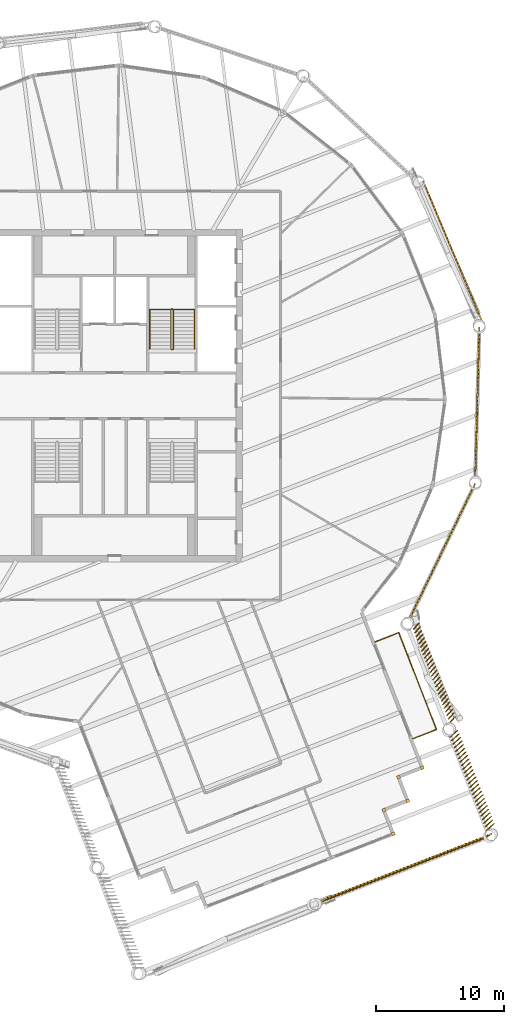
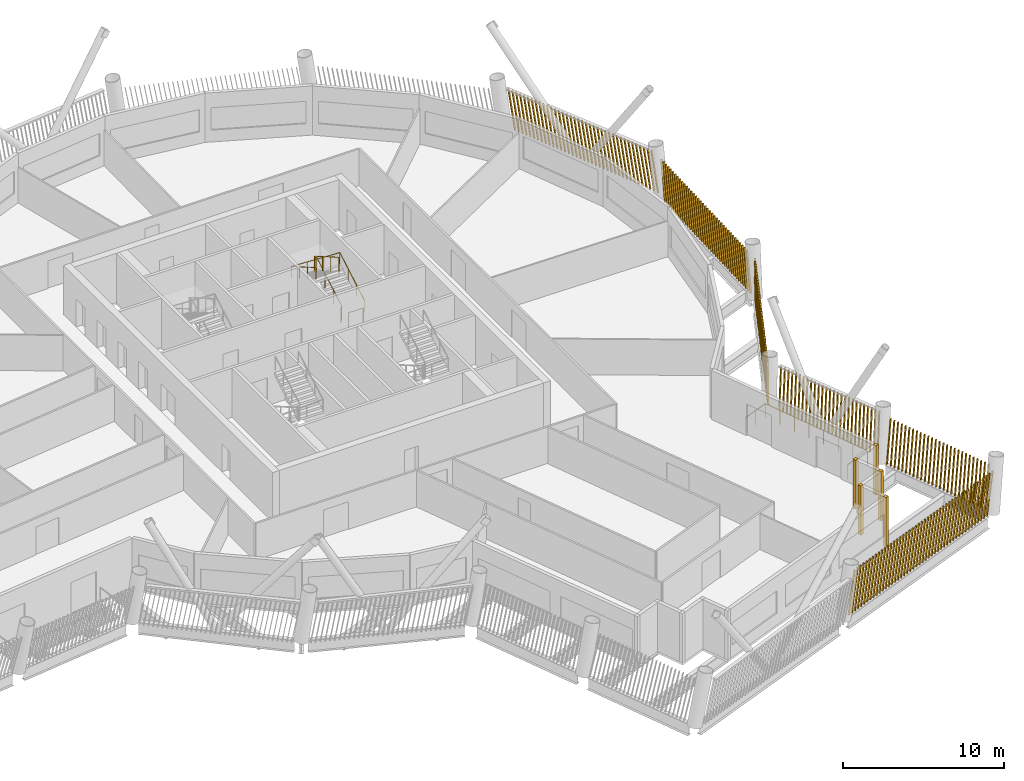
# One storey, part 18 of 20: 11 shading devices, 3 railings.
"""IFC4 building model written with IfcOpenShell, lengths in metres."""

from ifc_helpers import new_model, si_unit, direction, frame, frame_2d, origin, origin_2d, place, context, subcontext, project, spatial, rectangle, circle, composite_profile, extrude, material, type_object, element, save


model = new_model("IFC4")

# Units and contexts
model_context = context("Model", 3, precision=1e-05, world=origin(), true_north=direction((0.0, 1.0)))
body_context = subcontext(model_context, "Body", "Model", "MODEL_VIEW")
ifc_project = project(units=[si_unit("LENGTHUNIT", "METRE"), si_unit("AREAUNIT", "SQUARE_METRE"), si_unit("VOLUMEUNIT", "CUBIC_METRE"), si_unit("PLANEANGLEUNIT", "RADIAN"), si_unit("MASSUNIT", "GRAM", prefix="KILO")], contexts=[model_context])

# Site, building, storey
site_placement = place(None, origin())
site = spatial("IfcSite", under=ifc_project, at=site_placement, CompositionType="ELEMENT")
building_placement = place(site_placement, origin())
building = spatial("IfcBuilding", under=site, at=building_placement, Name="Tarsis Ring Headquarters", CompositionType="ELEMENT")
storey_placement = place(building_placement, frame((0.0, 0.0, 315.800048828125)))
storey = spatial("IfcBuildingStorey", under=building, at=storey_placement, Name="L74", CompositionType="ELEMENT", Elevation=315.800048828125)

# Railings
ifc_material_1 = material(Name="Stainless steel guard", Category="steel")
railing_type_1 = type_object("IfcRailingType", Name="Balcony balustrade with mesh infill 1100", PredefinedType="BALUSTRADE", material=ifc_material_1)
railing_1_placement = place(storey_placement, frame((23.33984375, -26.86083984375, 0.0)))
element("IfcRailing", 1, at=railing_1_placement, inside=storey, type_object=railing_type_1, Name="Balcony balustrade L74-16", PredefinedType="BALUSTRADE", context=body_context, shape_type="SweptSolid", body=[
    extrude(circle(Radius=0.030029296875, at=origin_2d()), frame((0.0, 0.0, 1.070068359375), z_axis=(0.931814391035, 0.362935174184, 0.0), x_axis=(-0.362935174184, 0.931814391035, 0.0)), (0.0, 0.0, 1.0), 2.0),
    extrude(circle(Radius=0.030029296875, at=origin_2d()), frame((1.863525390625, 0.725830078125, 1.070068359375), z_axis=(-0.362911614815, 0.931823566901, 0.0), x_axis=(-0.931823566901, -0.362911614815, 0.0)), (0.0, 0.0, 1.0), 8.1513671875),
    extrude(circle(Radius=0.030029296875, at=origin_2d()), frame((-1.0947265625, 8.321533203125, 1.070068359375), z_axis=(-0.931773101804, -0.363041163994, 0.0), x_axis=(0.363041163994, -0.931773101804, 0.0)), (0.0, 0.0, 1.0), 2.0),
    extrude(circle(Radius=0.02490234375, at=origin_2d()), origin(), (0.0, 0.0, 1.0), 1.0400390625),
    extrude(circle(Radius=0.02490234375, at=origin_2d()), frame((0.931640625, 0.36279296875, 0.0)), (0.0, 0.0, 1.0), 1.0400390625),
    extrude(circle(Radius=0.02490234375, at=origin_2d()), frame((1.863525390625, 0.725830078125, 0.0)), (0.0, 0.0, 1.0), 1.0400390625),
    extrude(circle(Radius=0.02490234375, at=origin_2d()), frame((1.44091796875, 1.81103515625, 0.0)), (0.0, 0.0, 1.0), 1.0400390625),
    extrude(circle(Radius=0.02490234375, at=origin_2d()), frame((1.018310546875, 2.89599609375, 0.0)), (0.0, 0.0, 1.0), 1.0400390625),
    extrude(circle(Radius=0.02490234375, at=origin_2d()), frame((0.595703125, 3.981201171875, 0.0)), (0.0, 0.0, 1.0), 1.0400390625),
    extrude(circle(Radius=0.02490234375, at=origin_2d()), frame((0.173095703125, 5.066162109375, 0.0)), (0.0, 0.0, 1.0), 1.0400390625),
    extrude(circle(Radius=0.02490234375, at=origin_2d()), frame((-0.24951171875, 6.1513671875, 0.0)), (0.0, 0.0, 1.0), 1.0400390625),
    extrude(circle(Radius=0.02490234375, at=origin_2d()), frame((-0.672119140625, 7.236328125, 0.0)), (0.0, 0.0, 1.0), 1.0400390625),
    extrude(circle(Radius=0.02490234375, at=origin_2d()), frame((-1.0947265625, 8.321533203125, 0.0)), (0.0, 0.0, 1.0), 1.0400390625),
    extrude(circle(Radius=0.02490234375, at=origin_2d()), frame((-2.0263671875, 7.95849609375, 0.0)), (0.0, 0.0, 1.0), 1.0400390625),
    extrude(circle(Radius=0.02490234375, at=origin_2d()), frame((-2.958251953125, 7.595458984375, 0.0)), (0.0, 0.0, 1.0), 1.0400390625),
])
ifc_material_2 = material(Name="Steel S355", Category="steel")
railing_type_2 = type_object("IfcRailingType", Name="Core stair guard 1100", PredefinedType="GUARDRAIL", material=ifc_material_2)
railing_2_placement = place(storey_placement, frame((4.4599609375, 3.610107421875, 0.0)))
element("IfcRailing", 2, at=railing_2_placement, inside=storey, type_object=railing_type_2, Name="L74 ST2 stair guard 1", PredefinedType="GUARDRAIL", context=body_context, shape_type="SweptSolid", body=[
    extrude(circle(Radius=0.02392578125, at=origin_2d()), frame((0.0, 0.0, 1.076171875), z_axis=(1.0, 0.0, 0.0), x_axis=(0.0, 1.0, 0.0)), (0.0, 0.0, 1.0), 0.080078125),
    extrude(circle(Radius=0.02392578125, at=origin_2d()), frame((0.080078125, 0.0, 1.076171875), z_axis=(0.282693820306, 0.281314826061, 0.917031173188), x_axis=(-0.705375805398, 0.708833529934, 0.0)), (0.0, 0.0, 1.0), 0.177001953125),
    extrude(circle(Radius=0.02392578125, at=origin_2d()), frame((0.130126953125, 0.0498046875, 1.23828125), z_axis=(0.0, 0.864890721111, 0.501960198159), x_axis=(-1.0, 0.0, 0.0)), (0.0, 0.0, 1.0), 3.561279296875),
    extrude(circle(Radius=0.02392578125, at=origin_2d()), frame((0.130126953125, 3.1298828125, 3.02587890625), z_axis=(-0.707106781187, 0.707106781187, 0.0), x_axis=(-0.707106781187, -0.707106781187, 0.0)), (0.0, 0.0, 1.0), 0.07080078125),
    extrude(circle(Radius=0.02392578125, at=origin_2d()), frame((0.080078125, 3.179931640625, 3.02587890625), z_axis=(-1.0, 0.0, 0.0), x_axis=(0.0, -1.0, 0.0)), (0.0, 0.0, 1.0), 0.080078125),
    extrude(circle(Radius=0.02392578125, at=origin_2d()), frame((0.0, 3.179931640625, 3.02587890625), z_axis=(-0.282227285176, -0.282227285176, 0.916894497205), x_axis=(0.707106781187, -0.707106781187, 0.0)), (0.0, 0.0, 1.0), 0.17724609375),
    extrude(circle(Radius=0.02392578125, at=origin_2d()), frame((-0.050048828125, 3.1298828125, 3.1884765625), z_axis=(0.0, -0.864920483161, 0.501908913857), x_axis=(1.0, 0.0, 0.0)), (0.0, 0.0, 1.0), 3.56103515625),
    extrude(circle(Radius=0.02099609375, at=origin_2d()), origin(), (0.0, 0.0, 1.0), 1.052001953125),
    extrude(circle(Radius=0.02099609375, at=origin_2d()), frame((0.080078125, 0.0, 0.0)), (0.0, 0.0, 1.0), 1.052001953125),
    extrude(circle(Radius=0.02099609375, at=origin_2d()), frame((0.130126953125, 0.0498046875, 0.162353515625)), (0.0, 0.0, 1.0), 1.052001953125),
    extrude(circle(Radius=0.02099609375, at=origin_2d()), frame((0.130126953125, 1.076416015625, 0.75830078125)), (0.0, 0.0, 1.0), 1.052001953125),
    extrude(circle(Radius=0.02099609375, at=origin_2d()), frame((0.130126953125, 2.103271484375, 1.35400390625)), (0.0, 0.0, 1.0), 1.052001953125),
    extrude(circle(Radius=0.02099609375, at=origin_2d()), frame((0.130126953125, 3.1298828125, 1.949951171875)), (0.0, 0.0, 1.0), 1.052001953125),
    extrude(circle(Radius=0.02099609375, at=origin_2d()), frame((0.080078125, 3.179931640625, 1.949951171875)), (0.0, 0.0, 1.0), 1.052001953125),
    extrude(circle(Radius=0.02099609375, at=origin_2d()), frame((0.0, 3.179931640625, 1.949951171875)), (0.0, 0.0, 1.0), 1.052001953125),
    extrude(circle(Radius=0.02099609375, at=origin_2d()), frame((-0.050048828125, 3.1298828125, 2.112548828125)), (0.0, 0.0, 1.0), 1.052001953125),
    extrude(circle(Radius=0.02099609375, at=origin_2d()), frame((-0.050048828125, 2.103271484375, 2.708251953125)), (0.0, 0.0, 1.0), 1.052001953125),
    extrude(circle(Radius=0.02099609375, at=origin_2d()), frame((-0.050048828125, 1.076416015625, 3.30419921875)), (0.0, 0.0, 1.0), 1.052001953125),
    extrude(circle(Radius=0.02099609375, at=origin_2d()), frame((-0.050048828125, 0.0498046875, 3.89990234375)), (0.0, 0.0, 1.0), 1.052001953125),
])
railing_type_3 = type_object("IfcRailingType", Name="Core stair handrail 900", PredefinedType="HANDRAIL", material=ifc_material_2)
railing_3_placement = place(storey_placement, frame((6.25, 3.659912109375, 0.162353515625)))
element("IfcRailing", 3, at=railing_3_placement, inside=storey, type_object=railing_type_3, Name="L74 ST2 stair handrail 1", PredefinedType="HANDRAIL", context=body_context, shape_type="SweptSolid", body=[
    extrude(circle(Radius=0.02392578125, at=origin_2d()), frame((0.0, 0.0, 0.8759765625), z_axis=(0.0, 0.864890721111, 0.501960198159), x_axis=(-1.0, 0.0, 0.0)), (0.0, 0.0, 1.0), 3.561279296875),
    extrude(circle(Radius=0.02392578125, at=origin_2d()), frame((0.0, 3.080078125, 2.66357421875), z_axis=(-0.998922641604, 0.0, 0.046406422943), x_axis=(0.0, -1.0, 0.0)), (0.0, 0.0, 1.0), 3.503662109375),
    extrude(circle(Radius=0.02392578125, at=origin_2d()), frame((-3.5, 3.080078125, 2.826171875), z_axis=(0.0, -0.864920483161, 0.501908913857), x_axis=(1.0, 0.0, 0.0)), (0.0, 0.0, 1.0), 3.56103515625),
    extrude(circle(Radius=0.02099609375, at=origin_2d()), origin(), (0.0, 0.0, 1.0), 0.851806640625),
    extrude(circle(Radius=0.02099609375, at=origin_2d()), frame((0.0, 1.026611328125, 0.595947265625)), (0.0, 0.0, 1.0), 0.851806640625),
    extrude(circle(Radius=0.02099609375, at=origin_2d()), frame((0.0, 2.053466796875, 1.191650390625)), (0.0, 0.0, 1.0), 0.851806640625),
    extrude(circle(Radius=0.02099609375, at=origin_2d()), frame((0.0, 3.080078125, 1.78759765625)), (0.0, 0.0, 1.0), 0.851806640625),
    extrude(circle(Radius=0.02099609375, at=origin_2d()), frame((-1.166748046875, 3.080078125, 1.841796875)), (0.0, 0.0, 1.0), 0.851806640625),
    extrude(circle(Radius=0.02099609375, at=origin_2d()), frame((-2.333251953125, 3.080078125, 1.89599609375)), (0.0, 0.0, 1.0), 0.851806640625),
    extrude(circle(Radius=0.02099609375, at=origin_2d()), frame((-3.5, 3.080078125, 1.9501953125)), (0.0, 0.0, 1.0), 0.851806640625),
    extrude(circle(Radius=0.02099609375, at=origin_2d()), frame((-3.5, 2.053466796875, 2.5458984375)), (0.0, 0.0, 1.0), 0.851806640625),
    extrude(circle(Radius=0.02099609375, at=origin_2d()), frame((-3.5, 1.026611328125, 3.141845703125)), (0.0, 0.0, 1.0), 0.851806640625),
    extrude(circle(Radius=0.02099609375, at=origin_2d()), frame((-3.5, 0.0, 3.737548828125)), (0.0, 0.0, 1.0), 0.851806640625),
])

# Shading devices
ifc_material_3 = material(Name="Terracotta baguette", Category="masonry")
shading_device_type_1 = type_object("IfcShadingDeviceType", Name="Terracotta baguette screen", PredefinedType="USERDEFINED", material=ifc_material_3)
shading_device_1_placement = place(storey_placement, frame((15.9990234375, -39.700439453125, 0.0), z_axis=(0.0, 0.0, 1.0), x_axis=(0.931817779743, 0.362936753649, 0.0)))
element("IfcShadingDevice", 4, at=shading_device_1_placement, inside=storey, type_object=shading_device_type_1, Name="Baguette screen L74-04", ObjectType="Terracotta baguette screen", PredefinedType="USERDEFINED", context=body_context, shape_type="SweptSolid", body=[
    extrude(composite_profile([rectangle(XDim=0.06005859375, YDim=0.1201171875, at=frame_2d((0.030029296875, 0.0))), rectangle(XDim=0.06005859375, YDim=0.1201171875, at=frame_2d((0.33544921875, 0.0))), rectangle(XDim=0.06005859375, YDim=0.1201171875, at=frame_2d((0.640625, 0.0))), rectangle(XDim=0.06005859375, YDim=0.1201171875, at=frame_2d((0.946044921875, 0.0))), rectangle(XDim=0.06005859375, YDim=0.1201171875, at=frame_2d((1.25146484375, 0.0))), rectangle(XDim=0.06005859375, YDim=0.1201171875, at=frame_2d((1.556640625, 0.0))), rectangle(XDim=0.06005859375, YDim=0.1201171875, at=frame_2d((1.862060546875, 0.0))), rectangle(XDim=0.06005859375, YDim=0.1201171875, at=frame_2d((2.16748046875, 0.0))), rectangle(XDim=0.06005859375, YDim=0.1201171875, at=frame_2d((2.47265625, 0.0))), rectangle(XDim=0.06005859375, YDim=0.1201171875, at=frame_2d((2.778076171875, 0.0))), rectangle(XDim=0.06005859375, YDim=0.1201171875, at=frame_2d((3.08349609375, 0.0))), rectangle(XDim=0.06005859375, YDim=0.1201171875, at=frame_2d((3.388671875, 0.0))), rectangle(XDim=0.06005859375, YDim=0.1201171875, at=frame_2d((3.694091796875, 0.0))), rectangle(XDim=0.06005859375, YDim=0.1201171875, at=frame_2d((3.99951171875, 0.0))), rectangle(XDim=0.06005859375, YDim=0.1201171875, at=frame_2d((4.3046875, 0.0))), rectangle(XDim=0.06005859375, YDim=0.1201171875, at=frame_2d((4.610107421875, 0.0))), rectangle(XDim=0.06005859375, YDim=0.1201171875, at=frame_2d((4.91552734375, 0.0))), rectangle(XDim=0.06005859375, YDim=0.1201171875, at=frame_2d((5.220703125, 0.0))), rectangle(XDim=0.06005859375, YDim=0.1201171875, at=frame_2d((5.526123046875, 0.0))), rectangle(XDim=0.06005859375, YDim=0.1201171875, at=frame_2d((5.83154296875, 0.0))), rectangle(XDim=0.06005859375, YDim=0.1201171875, at=frame_2d((6.13671875, 0.0))), rectangle(XDim=0.06005859375, YDim=0.1201171875, at=frame_2d((6.442138671875, 0.0))), rectangle(XDim=0.06005859375, YDim=0.1201171875, at=frame_2d((6.74755859375, 0.0))), rectangle(XDim=0.06005859375, YDim=0.1201171875, at=frame_2d((7.052734375, 0.0))), rectangle(XDim=0.06005859375, YDim=0.1201171875, at=frame_2d((7.358154296875, 0.0))), rectangle(XDim=0.06005859375, YDim=0.1201171875, at=frame_2d((7.66357421875, 0.0))), rectangle(XDim=0.06005859375, YDim=0.1201171875, at=frame_2d((7.96875, 0.0))), rectangle(XDim=0.06005859375, YDim=0.1201171875, at=frame_2d((8.274169921875, 0.0))), rectangle(XDim=0.06005859375, YDim=0.1201171875, at=frame_2d((8.57958984375, 0.0))), rectangle(XDim=0.06005859375, YDim=0.1201171875, at=frame_2d((8.884765625, 0.0))), rectangle(XDim=0.06005859375, YDim=0.1201171875, at=frame_2d((9.190185546875, 0.0))), rectangle(XDim=0.06005859375, YDim=0.1201171875, at=frame_2d((9.49560546875, 0.0))), rectangle(XDim=0.06005859375, YDim=0.1201171875, at=frame_2d((9.80078125, 0.0))), rectangle(XDim=0.06005859375, YDim=0.1201171875, at=frame_2d((10.106201171875, 0.0))), rectangle(XDim=0.06005859375, YDim=0.1201171875, at=frame_2d((10.41162109375, 0.0))), rectangle(XDim=0.06005859375, YDim=0.1201171875, at=frame_2d((10.716796875, 0.0))), rectangle(XDim=0.06005859375, YDim=0.1201171875, at=frame_2d((11.022216796875, 0.0))), rectangle(XDim=0.06005859375, YDim=0.1201171875, at=frame_2d((11.32763671875, 0.0))), rectangle(XDim=0.06005859375, YDim=0.1201171875, at=frame_2d((11.6328125, 0.0))), rectangle(XDim=0.06005859375, YDim=0.1201171875, at=frame_2d((11.938232421875, 0.0))), rectangle(XDim=0.06005859375, YDim=0.1201171875, at=frame_2d((12.24365234375, 0.0))), rectangle(XDim=0.06005859375, YDim=0.1201171875, at=frame_2d((12.548828125, 0.0))), rectangle(XDim=0.06005859375, YDim=0.1201171875, at=frame_2d((12.854248046875, 0.0))), rectangle(XDim=0.06005859375, YDim=0.1201171875, at=frame_2d((13.15966796875, 0.0))), rectangle(XDim=0.06005859375, YDim=0.1201171875, at=frame_2d((13.46484375, 0.0))), rectangle(XDim=0.06005859375, YDim=0.1201171875, at=frame_2d((13.770263671875, 0.0)))]), origin(), (0.252587723014, 0.04603396193, 0.966478306291), 3.07080078125),
])
shading_device_2_placement = place(storey_placement, frame((29.142578125, -34.044677734375, 0.0), z_axis=(0.0, 0.0, 1.0), x_axis=(-0.362920168067, 0.931815373208, 0.0)))
element("IfcShadingDevice", 5, at=shading_device_2_placement, inside=storey, type_object=shading_device_type_1, Name="Baguette screen L74-05", ObjectType="Terracotta baguette screen", PredefinedType="USERDEFINED", context=body_context, shape_type="SweptSolid", body=[
    extrude(composite_profile([rectangle(XDim=0.06005859375, YDim=0.1201171875, at=frame_2d((0.030029296875, 0.0))), rectangle(XDim=0.06005859375, YDim=0.1201171875, at=frame_2d((0.33154296875, 0.0))), rectangle(XDim=0.06005859375, YDim=0.1201171875, at=frame_2d((0.63330078125, 0.0))), rectangle(XDim=0.06005859375, YDim=0.1201171875, at=frame_2d((0.934814453125, 0.0))), rectangle(XDim=0.06005859375, YDim=0.1201171875, at=frame_2d((1.236572265625, 0.0))), rectangle(XDim=0.06005859375, YDim=0.1201171875, at=frame_2d((1.5380859375, 0.0))), rectangle(XDim=0.06005859375, YDim=0.1201171875, at=frame_2d((1.83984375, 0.0))), rectangle(XDim=0.06005859375, YDim=0.1201171875, at=frame_2d((2.141357421875, 0.0))), rectangle(XDim=0.06005859375, YDim=0.1201171875, at=frame_2d((2.443115234375, 0.0))), rectangle(XDim=0.06005859375, YDim=0.1201171875, at=frame_2d((2.74462890625, 0.0))), rectangle(XDim=0.06005859375, YDim=0.1201171875, at=frame_2d((3.04638671875, 0.0))), rectangle(XDim=0.06005859375, YDim=0.1201171875, at=frame_2d((3.347900390625, 0.0))), rectangle(XDim=0.06005859375, YDim=0.1201171875, at=frame_2d((3.649658203125, 0.0))), rectangle(XDim=0.06005859375, YDim=0.1201171875, at=frame_2d((3.951171875, 0.0))), rectangle(XDim=0.06005859375, YDim=0.1201171875, at=frame_2d((4.252685546875, 0.0))), rectangle(XDim=0.06005859375, YDim=0.1201171875, at=frame_2d((4.554443359375, 0.0))), rectangle(XDim=0.06005859375, YDim=0.1201171875, at=frame_2d((4.85595703125, 0.0))), rectangle(XDim=0.06005859375, YDim=0.1201171875, at=frame_2d((5.15771484375, 0.0))), rectangle(XDim=0.06005859375, YDim=0.1201171875, at=frame_2d((5.459228515625, 0.0))), rectangle(XDim=0.06005859375, YDim=0.1201171875, at=frame_2d((5.760986328125, 0.0))), rectangle(XDim=0.06005859375, YDim=0.1201171875, at=frame_2d((6.0625, 0.0))), rectangle(XDim=0.06005859375, YDim=0.1201171875, at=frame_2d((6.3642578125, 0.0))), rectangle(XDim=0.06005859375, YDim=0.1201171875, at=frame_2d((6.665771484375, 0.0))), rectangle(XDim=0.06005859375, YDim=0.1201171875, at=frame_2d((6.967529296875, 0.0))), rectangle(XDim=0.06005859375, YDim=0.1201171875, at=frame_2d((7.26904296875, 0.0))), rectangle(XDim=0.06005859375, YDim=0.1201171875, at=frame_2d((7.57080078125, 0.0))), rectangle(XDim=0.06005859375, YDim=0.1201171875, at=frame_2d((7.872314453125, 0.0)))]), origin(), (0.089847664069, -0.226659195484, 0.969821120807), 3.06005859375),
])
shading_device_3_placement = place(storey_placement, frame((26.26123046875, -25.61328125, 0.0), z_axis=(0.0, 0.0, 1.0), x_axis=(-0.362920168067, 0.931815373208, 0.0)))
element("IfcShadingDevice", 6, at=shading_device_3_placement, inside=storey, type_object=shading_device_type_1, Name="Baguette screen L74-06", ObjectType="Terracotta baguette screen", PredefinedType="USERDEFINED", context=body_context, shape_type="SweptSolid", body=[
    extrude(composite_profile([rectangle(XDim=0.06005859375, YDim=0.1201171875, at=frame_2d((0.030029296875, 0.0))), rectangle(XDim=0.06005859375, YDim=0.1201171875, at=frame_2d((0.33154296875, 0.0))), rectangle(XDim=0.06005859375, YDim=0.1201171875, at=frame_2d((0.63330078125, 0.0))), rectangle(XDim=0.06005859375, YDim=0.1201171875, at=frame_2d((0.934814453125, 0.0))), rectangle(XDim=0.06005859375, YDim=0.1201171875, at=frame_2d((1.236572265625, 0.0))), rectangle(XDim=0.06005859375, YDim=0.1201171875, at=frame_2d((1.5380859375, 0.0))), rectangle(XDim=0.06005859375, YDim=0.1201171875, at=frame_2d((1.83984375, 0.0))), rectangle(XDim=0.06005859375, YDim=0.1201171875, at=frame_2d((2.141357421875, 0.0))), rectangle(XDim=0.06005859375, YDim=0.1201171875, at=frame_2d((2.443115234375, 0.0))), rectangle(XDim=0.06005859375, YDim=0.1201171875, at=frame_2d((2.74462890625, 0.0))), rectangle(XDim=0.06005859375, YDim=0.1201171875, at=frame_2d((3.04638671875, 0.0))), rectangle(XDim=0.06005859375, YDim=0.1201171875, at=frame_2d((3.347900390625, 0.0))), rectangle(XDim=0.06005859375, YDim=0.1201171875, at=frame_2d((3.649658203125, 0.0))), rectangle(XDim=0.06005859375, YDim=0.1201171875, at=frame_2d((3.951171875, 0.0))), rectangle(XDim=0.06005859375, YDim=0.1201171875, at=frame_2d((4.252685546875, 0.0))), rectangle(XDim=0.06005859375, YDim=0.1201171875, at=frame_2d((4.554443359375, 0.0))), rectangle(XDim=0.06005859375, YDim=0.1201171875, at=frame_2d((4.85595703125, 0.0))), rectangle(XDim=0.06005859375, YDim=0.1201171875, at=frame_2d((5.15771484375, 0.0))), rectangle(XDim=0.06005859375, YDim=0.1201171875, at=frame_2d((5.459228515625, 0.0))), rectangle(XDim=0.06005859375, YDim=0.1201171875, at=frame_2d((5.760986328125, 0.0))), rectangle(XDim=0.06005859375, YDim=0.1201171875, at=frame_2d((6.0625, 0.0))), rectangle(XDim=0.06005859375, YDim=0.1201171875, at=frame_2d((6.3642578125, 0.0))), rectangle(XDim=0.06005859375, YDim=0.1201171875, at=frame_2d((6.665771484375, 0.0))), rectangle(XDim=0.06005859375, YDim=0.1201171875, at=frame_2d((6.967529296875, 0.0))), rectangle(XDim=0.06005859375, YDim=0.1201171875, at=frame_2d((7.26904296875, 0.0))), rectangle(XDim=0.06005859375, YDim=0.1201171875, at=frame_2d((7.57080078125, 0.0))), rectangle(XDim=0.06005859375, YDim=0.1201171875, at=frame_2d((7.872314453125, 0.0)))]), origin(), (0.092562183184, -0.175677861376, 0.980086491727), 3.028076171875),
])
shading_device_4_placement = place(storey_placement, frame((23.0810546875, -17.47021484375, 0.0), z_axis=(0.0, 0.0, 1.0), x_axis=(0.437091698318, 0.899424850787, 0.0)))
element("IfcShadingDevice", 7, at=shading_device_4_placement, inside=storey, type_object=shading_device_type_1, Name="Baguette screen L74-07", ObjectType="Terracotta baguette screen", PredefinedType="USERDEFINED", context=body_context, shape_type="SweptSolid", body=[
    extrude(composite_profile([rectangle(XDim=0.06005859375, YDim=0.1201171875, at=frame_2d((0.030029296875, 0.0))), rectangle(XDim=0.06005859375, YDim=0.1201171875, at=frame_2d((0.33251953125, 0.0))), rectangle(XDim=0.06005859375, YDim=0.1201171875, at=frame_2d((0.634765625, 0.0))), rectangle(XDim=0.06005859375, YDim=0.1201171875, at=frame_2d((0.937255859375, 0.0))), rectangle(XDim=0.06005859375, YDim=0.1201171875, at=frame_2d((1.239501953125, 0.0))), rectangle(XDim=0.06005859375, YDim=0.1201171875, at=frame_2d((1.5419921875, 0.0))), rectangle(XDim=0.06005859375, YDim=0.1201171875, at=frame_2d((1.844482421875, 0.0))), rectangle(XDim=0.06005859375, YDim=0.1201171875, at=frame_2d((2.146728515625, 0.0))), rectangle(XDim=0.06005859375, YDim=0.1201171875, at=frame_2d((2.44921875, 0.0))), rectangle(XDim=0.06005859375, YDim=0.1201171875, at=frame_2d((2.751708984375, 0.0))), rectangle(XDim=0.06005859375, YDim=0.1201171875, at=frame_2d((3.053955078125, 0.0))), rectangle(XDim=0.06005859375, YDim=0.1201171875, at=frame_2d((3.3564453125, 0.0))), rectangle(XDim=0.06005859375, YDim=0.1201171875, at=frame_2d((3.65869140625, 0.0))), rectangle(XDim=0.06005859375, YDim=0.1201171875, at=frame_2d((3.961181640625, 0.0))), rectangle(XDim=0.06005859375, YDim=0.1201171875, at=frame_2d((4.263671875, 0.0))), rectangle(XDim=0.06005859375, YDim=0.1201171875, at=frame_2d((4.56591796875, 0.0))), rectangle(XDim=0.06005859375, YDim=0.1201171875, at=frame_2d((4.868408203125, 0.0))), rectangle(XDim=0.06005859375, YDim=0.1201171875, at=frame_2d((5.1708984375, 0.0))), rectangle(XDim=0.06005859375, YDim=0.1201171875, at=frame_2d((5.47314453125, 0.0))), rectangle(XDim=0.06005859375, YDim=0.1201171875, at=frame_2d((5.775634765625, 0.0))), rectangle(XDim=0.06005859375, YDim=0.1201171875, at=frame_2d((6.077880859375, 0.0))), rectangle(XDim=0.06005859375, YDim=0.1201171875, at=frame_2d((6.38037109375, 0.0))), rectangle(XDim=0.06005859375, YDim=0.1201171875, at=frame_2d((6.682861328125, 0.0))), rectangle(XDim=0.06005859375, YDim=0.1201171875, at=frame_2d((6.985107421875, 0.0))), rectangle(XDim=0.06005859375, YDim=0.1201171875, at=frame_2d((7.28759765625, 0.0))), rectangle(XDim=0.06005859375, YDim=0.1201171875, at=frame_2d((7.590087890625, 0.0))), rectangle(XDim=0.06005859375, YDim=0.1201171875, at=frame_2d((7.892333984375, 0.0))), rectangle(XDim=0.06005859375, YDim=0.1201171875, at=frame_2d((8.19482421875, 0.0))), rectangle(XDim=0.06005859375, YDim=0.1201171875, at=frame_2d((8.4970703125, 0.0))), rectangle(XDim=0.06005859375, YDim=0.1201171875, at=frame_2d((8.799560546875, 0.0))), rectangle(XDim=0.06005859375, YDim=0.1201171875, at=frame_2d((9.10205078125, 0.0))), rectangle(XDim=0.06005859375, YDim=0.1201171875, at=frame_2d((9.404296875, 0.0))), rectangle(XDim=0.06005859375, YDim=0.1201171875, at=frame_2d((9.706787109375, 0.0))), rectangle(XDim=0.06005859375, YDim=0.1201171875, at=frame_2d((10.00927734375, 0.0))), rectangle(XDim=0.06005859375, YDim=0.1201171875, at=frame_2d((10.3115234375, 0.0))), rectangle(XDim=0.06005859375, YDim=0.1201171875, at=frame_2d((10.614013671875, 0.0))), rectangle(XDim=0.06005859375, YDim=0.1201171875, at=frame_2d((10.916259765625, 0.0))), rectangle(XDim=0.06005859375, YDim=0.1201171875, at=frame_2d((11.21875, 0.0)))]), origin(), (0.171102710117, 0.00155127846, 0.985251975956), 3.01220703125),
])
shading_device_5_placement = place(storey_placement, frame((28.22998046875, -6.4033203125, 0.0), z_axis=(0.0, 0.0, 1.0), x_axis=(0.02752034726, 0.999631036354, 0.0)))
element("IfcShadingDevice", 8, at=shading_device_5_placement, inside=storey, type_object=shading_device_type_1, Name="Baguette screen L74-08", ObjectType="Terracotta baguette screen", PredefinedType="USERDEFINED", context=body_context, shape_type="SweptSolid", body=[
    extrude(composite_profile([rectangle(XDim=0.06005859375, YDim=0.1201171875, at=frame_2d((0.030029296875, 0.0))), rectangle(XDim=0.06005859375, YDim=0.1201171875, at=frame_2d((0.33251953125, 0.0))), rectangle(XDim=0.06005859375, YDim=0.1201171875, at=frame_2d((0.634765625, 0.0))), rectangle(XDim=0.06005859375, YDim=0.1201171875, at=frame_2d((0.937255859375, 0.0))), rectangle(XDim=0.06005859375, YDim=0.1201171875, at=frame_2d((1.239501953125, 0.0))), rectangle(XDim=0.06005859375, YDim=0.1201171875, at=frame_2d((1.5419921875, 0.0))), rectangle(XDim=0.06005859375, YDim=0.1201171875, at=frame_2d((1.844482421875, 0.0))), rectangle(XDim=0.06005859375, YDim=0.1201171875, at=frame_2d((2.146728515625, 0.0))), rectangle(XDim=0.06005859375, YDim=0.1201171875, at=frame_2d((2.44921875, 0.0))), rectangle(XDim=0.06005859375, YDim=0.1201171875, at=frame_2d((2.751708984375, 0.0))), rectangle(XDim=0.06005859375, YDim=0.1201171875, at=frame_2d((3.053955078125, 0.0))), rectangle(XDim=0.06005859375, YDim=0.1201171875, at=frame_2d((3.3564453125, 0.0))), rectangle(XDim=0.06005859375, YDim=0.1201171875, at=frame_2d((3.65869140625, 0.0))), rectangle(XDim=0.06005859375, YDim=0.1201171875, at=frame_2d((3.961181640625, 0.0))), rectangle(XDim=0.06005859375, YDim=0.1201171875, at=frame_2d((4.263671875, 0.0))), rectangle(XDim=0.06005859375, YDim=0.1201171875, at=frame_2d((4.56591796875, 0.0))), rectangle(XDim=0.06005859375, YDim=0.1201171875, at=frame_2d((4.868408203125, 0.0))), rectangle(XDim=0.06005859375, YDim=0.1201171875, at=frame_2d((5.1708984375, 0.0))), rectangle(XDim=0.06005859375, YDim=0.1201171875, at=frame_2d((5.47314453125, 0.0))), rectangle(XDim=0.06005859375, YDim=0.1201171875, at=frame_2d((5.775634765625, 0.0))), rectangle(XDim=0.06005859375, YDim=0.1201171875, at=frame_2d((6.077880859375, 0.0))), rectangle(XDim=0.06005859375, YDim=0.1201171875, at=frame_2d((6.38037109375, 0.0))), rectangle(XDim=0.06005859375, YDim=0.1201171875, at=frame_2d((6.682861328125, 0.0))), rectangle(XDim=0.06005859375, YDim=0.1201171875, at=frame_2d((6.985107421875, 0.0))), rectangle(XDim=0.06005859375, YDim=0.1201171875, at=frame_2d((7.28759765625, 0.0))), rectangle(XDim=0.06005859375, YDim=0.1201171875, at=frame_2d((7.590087890625, 0.0))), rectangle(XDim=0.06005859375, YDim=0.1201171875, at=frame_2d((7.892333984375, 0.0))), rectangle(XDim=0.06005859375, YDim=0.1201171875, at=frame_2d((8.19482421875, 0.0))), rectangle(XDim=0.06005859375, YDim=0.1201171875, at=frame_2d((8.4970703125, 0.0))), rectangle(XDim=0.06005859375, YDim=0.1201171875, at=frame_2d((8.799560546875, 0.0))), rectangle(XDim=0.06005859375, YDim=0.1201171875, at=frame_2d((9.10205078125, 0.0))), rectangle(XDim=0.06005859375, YDim=0.1201171875, at=frame_2d((9.404296875, 0.0))), rectangle(XDim=0.06005859375, YDim=0.1201171875, at=frame_2d((9.706787109375, 0.0))), rectangle(XDim=0.06005859375, YDim=0.1201171875, at=frame_2d((10.00927734375, 0.0))), rectangle(XDim=0.06005859375, YDim=0.1201171875, at=frame_2d((10.3115234375, 0.0))), rectangle(XDim=0.06005859375, YDim=0.1201171875, at=frame_2d((10.614013671875, 0.0))), rectangle(XDim=0.06005859375, YDim=0.1201171875, at=frame_2d((10.916259765625, 0.0))), rectangle(XDim=0.06005859375, YDim=0.1201171875, at=frame_2d((11.21875, 0.0)))]), origin(), (0.171103103656, 0.00155482124, 0.985251902028), 3.01220703125),
])
shading_device_6_placement = place(storey_placement, frame((28.70556640625, 5.947265625, 0.0), z_axis=(0.0, 0.0, 1.0), x_axis=(-0.386977753663, 0.922083559414, 0.0)))
element("IfcShadingDevice", 9, at=shading_device_6_placement, inside=storey, type_object=shading_device_type_1, Name="Baguette screen L74-09", ObjectType="Terracotta baguette screen", PredefinedType="USERDEFINED", context=body_context, shape_type="SweptSolid", body=[
    extrude(composite_profile([rectangle(XDim=0.06005859375, YDim=0.1201171875, at=frame_2d((0.030029296875, 0.0))), rectangle(XDim=0.06005859375, YDim=0.1201171875, at=frame_2d((0.33251953125, 0.0))), rectangle(XDim=0.06005859375, YDim=0.1201171875, at=frame_2d((0.634765625, 0.0))), rectangle(XDim=0.06005859375, YDim=0.1201171875, at=frame_2d((0.937255859375, 0.0))), rectangle(XDim=0.06005859375, YDim=0.1201171875, at=frame_2d((1.239501953125, 0.0))), rectangle(XDim=0.06005859375, YDim=0.1201171875, at=frame_2d((1.5419921875, 0.0))), rectangle(XDim=0.06005859375, YDim=0.1201171875, at=frame_2d((1.844482421875, 0.0))), rectangle(XDim=0.06005859375, YDim=0.1201171875, at=frame_2d((2.146728515625, 0.0))), rectangle(XDim=0.06005859375, YDim=0.1201171875, at=frame_2d((2.44921875, 0.0))), rectangle(XDim=0.06005859375, YDim=0.1201171875, at=frame_2d((2.751708984375, 0.0))), rectangle(XDim=0.06005859375, YDim=0.1201171875, at=frame_2d((3.053955078125, 0.0))), rectangle(XDim=0.06005859375, YDim=0.1201171875, at=frame_2d((3.3564453125, 0.0))), rectangle(XDim=0.06005859375, YDim=0.1201171875, at=frame_2d((3.65869140625, 0.0))), rectangle(XDim=0.06005859375, YDim=0.1201171875, at=frame_2d((3.961181640625, 0.0))), rectangle(XDim=0.06005859375, YDim=0.1201171875, at=frame_2d((4.263671875, 0.0))), rectangle(XDim=0.06005859375, YDim=0.1201171875, at=frame_2d((4.56591796875, 0.0))), rectangle(XDim=0.06005859375, YDim=0.1201171875, at=frame_2d((4.868408203125, 0.0))), rectangle(XDim=0.06005859375, YDim=0.1201171875, at=frame_2d((5.1708984375, 0.0))), rectangle(XDim=0.06005859375, YDim=0.1201171875, at=frame_2d((5.47314453125, 0.0))), rectangle(XDim=0.06005859375, YDim=0.1201171875, at=frame_2d((5.775634765625, 0.0))), rectangle(XDim=0.06005859375, YDim=0.1201171875, at=frame_2d((6.077880859375, 0.0))), rectangle(XDim=0.06005859375, YDim=0.1201171875, at=frame_2d((6.38037109375, 0.0))), rectangle(XDim=0.06005859375, YDim=0.1201171875, at=frame_2d((6.682861328125, 0.0))), rectangle(XDim=0.06005859375, YDim=0.1201171875, at=frame_2d((6.985107421875, 0.0))), rectangle(XDim=0.06005859375, YDim=0.1201171875, at=frame_2d((7.28759765625, 0.0))), rectangle(XDim=0.06005859375, YDim=0.1201171875, at=frame_2d((7.590087890625, 0.0))), rectangle(XDim=0.06005859375, YDim=0.1201171875, at=frame_2d((7.892333984375, 0.0))), rectangle(XDim=0.06005859375, YDim=0.1201171875, at=frame_2d((8.19482421875, 0.0))), rectangle(XDim=0.06005859375, YDim=0.1201171875, at=frame_2d((8.4970703125, 0.0))), rectangle(XDim=0.06005859375, YDim=0.1201171875, at=frame_2d((8.799560546875, 0.0))), rectangle(XDim=0.06005859375, YDim=0.1201171875, at=frame_2d((9.10205078125, 0.0))), rectangle(XDim=0.06005859375, YDim=0.1201171875, at=frame_2d((9.404296875, 0.0))), rectangle(XDim=0.06005859375, YDim=0.1201171875, at=frame_2d((9.706787109375, 0.0))), rectangle(XDim=0.06005859375, YDim=0.1201171875, at=frame_2d((10.00927734375, 0.0))), rectangle(XDim=0.06005859375, YDim=0.1201171875, at=frame_2d((10.3115234375, 0.0))), rectangle(XDim=0.06005859375, YDim=0.1201171875, at=frame_2d((10.614013671875, 0.0))), rectangle(XDim=0.06005859375, YDim=0.1201171875, at=frame_2d((10.916259765625, 0.0))), rectangle(XDim=0.06005859375, YDim=0.1201171875, at=frame_2d((11.21875, 0.0)))]), origin(), (0.173292799744, 0.001571322507, 0.984869096125), 3.013427734375),
])
shading_device_type_2 = type_object("IfcShadingDeviceType", Name="Terracotta corner baguette 250x250", PredefinedType="USERDEFINED", material=ifc_material_3)
for number, where, z_axis, x_axis, name in (
    (10, (21.809814453125, -34.298095703125, 0.0), (0.0, 0.0, 1.0), (0.931817988424, 0.362925937969, 0.0), "Corner baguette L74-12"),
    (11, (21.083984375, -32.4345703125, 0.0), (0.0, 0.0, 1.0), (-0.362925986758, 0.931817969421, 0.0), "Corner baguette L74-13"),
    (12, (22.947509765625, -31.708740234375, 0.0), (0.0, 0.0, 1.0), (0.931817969421, 0.362925986758, 0.0), "Corner baguette L74-14"),
    (13, (22.2216796875, -29.844970703125, 0.0), (0.0, 0.0, 1.0), (-0.362925986758, 0.931817969421, 0.0), "Corner baguette L74-15"),
    (14, (24.085205078125, -29.119140625, 0.0), (0.0, 0.0, 1.0), (0.931817969421, 0.362925986758, 0.0), "Corner baguette L74-16"),
):
    element("IfcShadingDevice", number, at=place(storey_placement, frame(where, z_axis=z_axis, x_axis=x_axis)), inside=storey, type_object=shading_device_type_2, Name=name, ObjectType="Terracotta corner baguette", PredefinedType="USERDEFINED", context=body_context, shape_type="SweptSolid", body=[
        extrude(rectangle(XDim=0.25, YDim=0.25, at=origin_2d()), origin(), (0.0, 0.0, 1.0), 3.739990234375),
    ])

save(model, "model.ifc")
